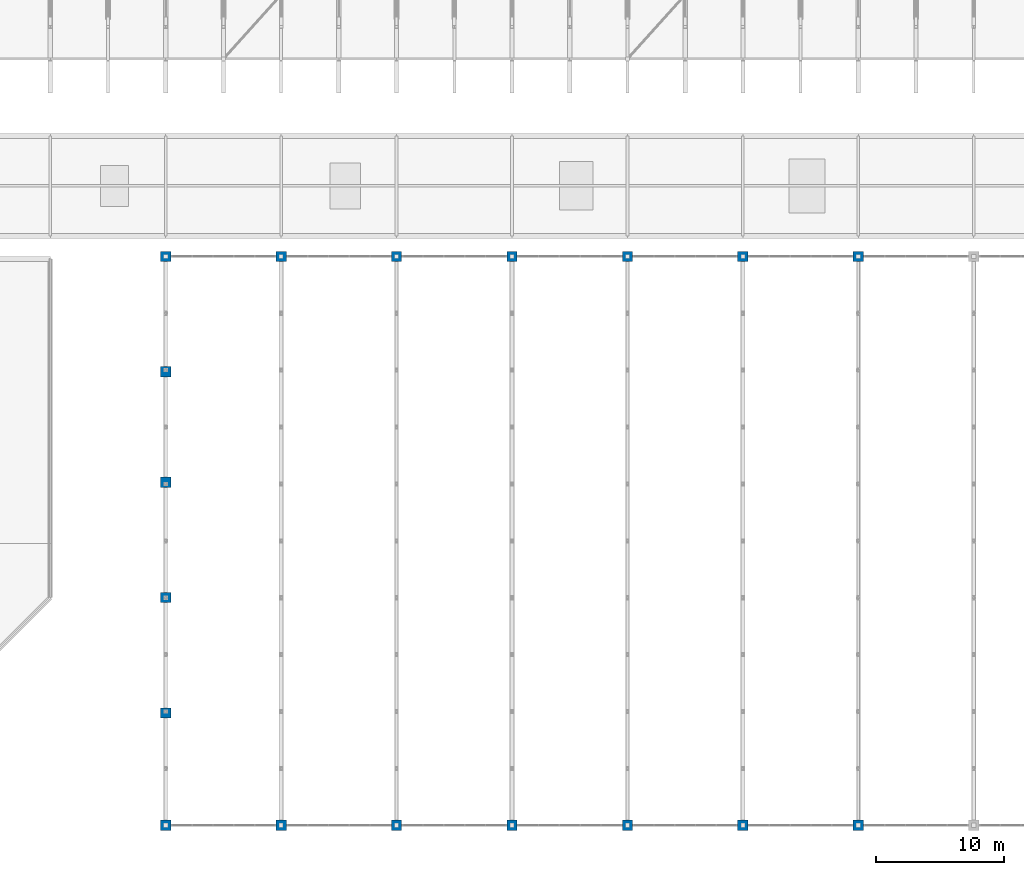
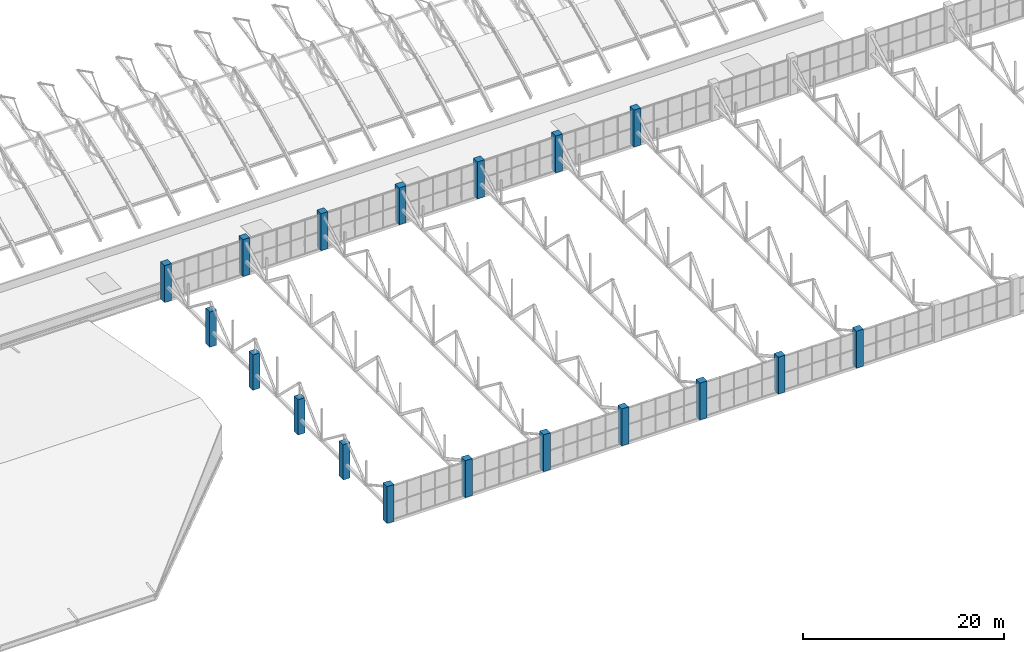
# One storey, part 2 of 103: 18 columns.
"""IFC4 building model written with IfcOpenShell, lengths in metres."""

from ifc_helpers import new_model, si_unit, direction, frame, origin, origin_2d, place, context, subcontext, project, spatial, rectangle, extrude, material, material_profile, profile_set, type_object, element, save


model = new_model("IFC4")

# Units and contexts
model_context = context("Model", 3, precision=1e-05, world=origin(), true_north=direction((0.0, 1.0)))
body_context = subcontext(model_context, "Body", "Model", "MODEL_VIEW")
ifc_project = project(units=[si_unit("LENGTHUNIT", "METRE"), si_unit("AREAUNIT", "SQUARE_METRE"), si_unit("VOLUMEUNIT", "CUBIC_METRE"), si_unit("PLANEANGLEUNIT", "RADIAN"), si_unit("MASSUNIT", "GRAM", prefix="KILO")], contexts=[model_context])

# Site, building, storey
site_placement = place(None, origin())
site = spatial("IfcSite", under=ifc_project, at=site_placement, CompositionType="ELEMENT")
building_placement = place(site_placement, origin())
building = spatial("IfcBuilding", under=site, at=building_placement, Name="Cazmaro Siding Exhibition Halls", CompositionType="ELEMENT")
storey_placement = place(building_placement, frame((0.0, 0.0, 16.5)))
storey = spatial("IfcBuildingStorey", under=building, at=storey_placement, Name="L03", CompositionType="ELEMENT", Elevation=16.5)

# Columns
ifc_material = material(Name="Concrete f'c 45 MPa", Category="concrete")
ifc_material_profile = material_profile(ifc_material, rectangle(XDim=0.800048828125, YDim=0.800048828125, at=origin_2d()), Name="RC800X800")
ifc_profile_set = profile_set([ifc_material_profile], Name="Concrete f'c 45 MPa")
column_type = type_object("IfcColumnType", Name="C-08", PredefinedType="COLUMN", material=ifc_profile_set)
for number, where, z_axis, x_axis, name in (
    (1, (72.0, 9.25, 0.0), (0.0, 0.0, 1.0), (1.0, 0.0, 0.0), "Column C-08 COL-0566"),
    (2, (72.0, 53.60009765625, 0.0), (0.0, 0.0, 1.0), (1.0, 0.0, 0.0), "Column C-08 COL-0568"),
    (3, (81.0, 9.25, 0.0), (0.0, 0.0, 1.0), (1.0, 0.0, 0.0), "Column C-08 COL-0572"),
    (4, (81.0, 53.60009765625, 0.0), (0.0, 0.0, 1.0), (1.0, 0.0, 0.0), "Column C-08 COL-0576"),
    (5, (90.0, 9.25, 0.0), (0.0, 0.0, 1.0), (1.0, 0.0, 0.0), "Column C-08 COL-0578"),
    (6, (90.0, 53.60009765625, 0.0), (0.0, 0.0, 1.0), (1.0, 0.0, 0.0), "Column C-08 COL-0580"),
    (7, (99.0, 9.25, 0.0), (0.0, 0.0, 1.0), (1.0, 0.0, 0.0), "Column C-08 COL-0584"),
    (8, (99.0, 53.60009765625, 0.0), (0.0, 0.0, 1.0), (1.0, 0.0, 0.0), "Column C-08 COL-0588"),
    (9, (108.0, 9.25, 0.0), (0.0, 0.0, 1.0), (1.0, 0.0, 0.0), "Column C-08 COL-0590"),
    (10, (108.0, 53.60009765625, 0.0), (0.0, 0.0, 1.0), (1.0, 0.0, 0.0), "Column C-08 COL-0592"),
    (11, (117.0, 9.25, 0.0), (0.0, 0.0, 1.0), (1.0, 0.0, 0.0), "Column C-08 COL-0596"),
    (12, (117.0, 53.60009765625, 0.0), (0.0, 0.0, 1.0), (1.0, 0.0, 0.0), "Column C-08 COL-0600"),
    (13, (126.0, 9.25, 0.0), (0.0, 0.0, 1.0), (1.0, 0.0, 0.0), "Column C-08 COL-0602"),
    (14, (126.0, 53.60009765625, 0.0), (0.0, 0.0, 1.0), (1.0, 0.0, 0.0), "Column C-08 COL-0604"),
):
    element("IfcColumn", number, at=place(storey_placement, frame(where, z_axis=z_axis, x_axis=x_axis)), inside=storey, type_object=column_type, Name=name, PredefinedType="COLUMN", context=body_context, shape_type="SweptSolid", body=[
        extrude(rectangle(XDim=0.800048828125, YDim=0.800048828125, at=origin_2d()), origin(), (0.0, 0.0, 1.0), 4.5),
    ])
for number, where, z_axis, x_axis, name in (
    (15, (72.0, 18.0, 0.0), (0.0, 0.0, 1.0), (1.0, 0.0, 0.0), "Column C-08 COL-0662"),
    (16, (72.0, 27.0, 0.0), (0.0, 0.0, 1.0), (1.0, 0.0, 0.0), "Column C-08 COL-0664"),
    (17, (72.0, 36.0, 0.0), (0.0, 0.0, 1.0), (1.0, 0.0, 0.0), "Column C-08 COL-0666"),
    (18, (72.0, 44.60009765625, 0.0), (0.0, 0.0, 1.0), (1.0, 0.0, 0.0), "Column C-08 COL-0668"),
):
    element("IfcColumn", number, at=place(storey_placement, frame(where, z_axis=z_axis, x_axis=x_axis)), inside=storey, type_object=column_type, Name=name, PredefinedType="COLUMN", context=body_context, shape_type="SweptSolid", body=[
        extrude(rectangle(XDim=0.800048828125, YDim=0.800048828125, at=origin_2d()), origin(), (0.0, 0.0, 1.0), 4.300048828125),
    ])

save(model, "model.ifc")
